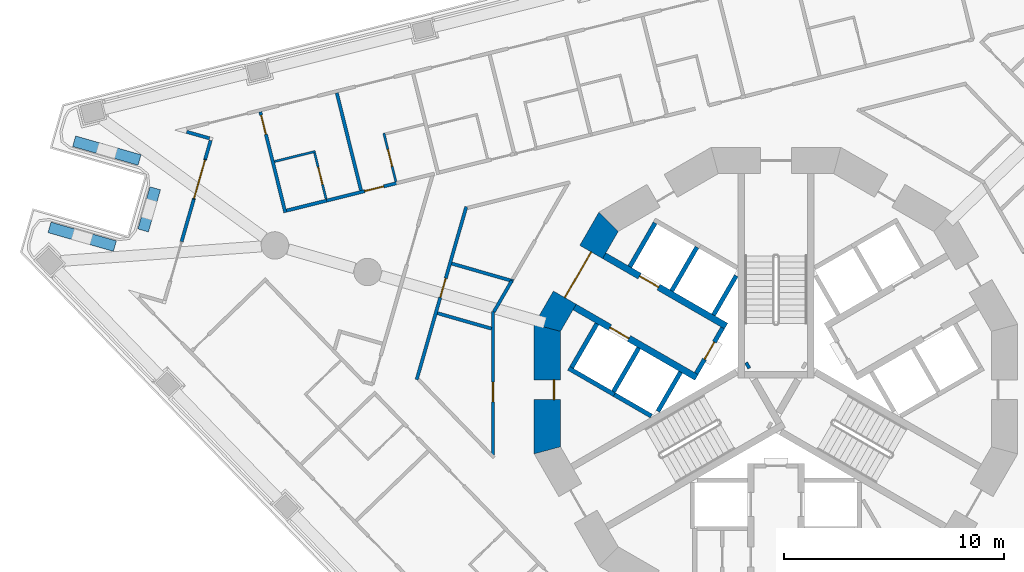
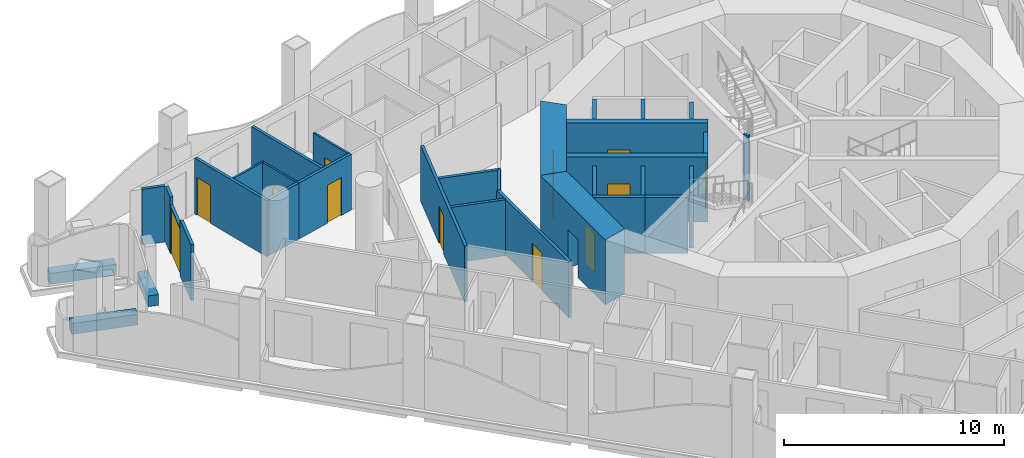
# One storey, part 7 of 20: 33 walls, 12 doors, 12 openings.
"""IFC4 building model written with IfcOpenShell, lengths in metres."""

from ifc_helpers import new_model, si_unit, direction, frame, frame_2d, origin, place, context, subcontext, project, spatial, polyline, rectangle, outline, extrude, material, layer, layer_set, type_object, element, fill, save


model = new_model("IFC4")

# Units and contexts
model_context = context("Model", 3, precision=1e-05, world=origin(), true_north=direction((0.0, 1.0)))
body_context = subcontext(model_context, "Body", "Model", "MODEL_VIEW")
ifc_project = project(units=[si_unit("LENGTHUNIT", "METRE"), si_unit("AREAUNIT", "SQUARE_METRE"), si_unit("VOLUMEUNIT", "CUBIC_METRE"), si_unit("PLANEANGLEUNIT", "RADIAN"), si_unit("MASSUNIT", "GRAM", prefix="KILO")], contexts=[model_context])

# Site, building, storey
site_placement = place(None, origin())
site = spatial("IfcSite", under=ifc_project, at=site_placement, CompositionType="ELEMENT")
building_placement = place(site_placement, origin())
building = spatial("IfcBuilding", under=site, at=building_placement, Name="Trine Commons Tower", CompositionType="ELEMENT")
storey_placement = place(building_placement, frame((0.0, 0.0, 116.10009765625)))
storey = spatial("IfcBuildingStorey", under=building, at=storey_placement, Name="L29", CompositionType="ELEMENT", Elevation=116.10009765625)

# Wall
ifc_material_1 = material(Name="Aluminium-framed insulated wall panel", Category="aluminium")
ifc_layer_1 = layer(ifc_material_1, 0.14990234375)
ifc_layer_set_1 = layer_set([ifc_layer_1], Name="Aluminium-framed insulated wall panel")
wall_type_1 = type_object("IfcWallType", Name="Glazed frame wall 150, EI 60", PredefinedType="SOLIDWALL", material=ifc_layer_set_1)
wall_1_placement = place(storey_placement, frame((52.931396484375, 69.221435546875, 0.0), z_axis=(0.0, 0.0, 1.0), x_axis=(0.275511032617, 0.961297909551, 0.0)))
element("IfcWall", 1, at=wall_1_placement, inside=storey, type_object=wall_type_1, Name="Glazed frame wall P1.3", PredefinedType="SOLIDWALL", context=body_context, shape_type="SweptSolid", body=[
    extrude(outline(polyline([(0.0, -0.074951171875), (2.0, -0.074951171875), (2.0, 0.074951171875), (0.0, 0.074951171875), (0.0, -0.074951171875)])), origin(), (0.0, 0.0, 1.0), 3.099853515625),
])

# Wall, opening, door
wall_2_placement = place(storey_placement, frame((53.482421875, 71.14404296875, 0.0), z_axis=(0.0, 0.0, 1.0), x_axis=(0.275739195228, 0.961232488119, 0.0)))
wall_2 = element("IfcWall", 2, at=wall_2_placement, inside=storey, type_object=wall_type_1, Name="Glazed frame wall P1.4", PredefinedType="SOLIDWALL", context=body_context, shape_type="SweptSolid", body=[
    extrude(outline(polyline([(0.0, -0.074951171875), (1.89990234375, -0.074951171875), (1.89990234375, 0.074951171875), (0.0, 0.074951171875), (0.0, -0.074951171875)])), origin(), (0.0, 0.0, 1.0), 2.64990234375),
])
opening_1_placement = place(wall_2_placement, frame((0.050048828125, 0.0, 0.0)))
opening_1 = element("IfcOpeningElement", 3, at=opening_1_placement, cuts=wall_2, Name="Opening BD-3P1-02", PredefinedType="OPENING", context=body_context, shape_type="SweptSolid", body=[
    extrude(rectangle(XDim=1.800048828125, YDim=2.60009765625, at=frame_2d((0.89990234375, 1.300048828125))), frame((0.0, 0.0849609375, 0.0), z_axis=(0.0, -1.0, 0.0), x_axis=(1.0, 0.0, 0.0)), (0.0, 0.0, 1.0), 0.169921875),
])
ifc_material_2 = material(Name="Anodised aluminium frame with double glazing", Category="aluminium")
door_type_1 = type_object("IfcDoorType", Name="Sliding loggia door 1800x2600", OperationType="SLIDING_TO_LEFT", PredefinedType="DOOR", material=ifc_material_2)
door_1_placement = place(opening_1_placement, origin())
door_1 = element("IfcDoor", 4, at=door_1_placement, inside=storey, type_object=door_type_1, Name="Loggia door P1 2", OperationType="SLIDING_TO_LEFT", OverallHeight=2.60009765625, OverallWidth=1.800048828125, PredefinedType="DOOR", context=body_context, shape_type="SweptSolid", body=[
    extrude(rectangle(XDim=1.800048828125, YDim=2.60009765625, at=frame_2d((0.89990234375, 1.300048828125))), frame((0.0, 0.02490234375, 0.0), z_axis=(0.0, -1.0, 0.0), x_axis=(1.0, 0.0, 0.0)), (0.0, 0.0, 1.0), 0.050048828125),
])
fill(opening_1, door_1)

# Walls
wall_3_placement = place(storey_placement, frame((54.00634765625, 72.970458984375, 0.0), z_axis=(0.0, 0.0, 1.0), x_axis=(0.275656175253, 0.961256299353, 0.0)))
element("IfcWall", 5, at=wall_3_placement, inside=storey, type_object=wall_type_1, Name="Glazed frame wall P1.5", PredefinedType="SOLIDWALL", context=body_context, shape_type="SweptSolid", body=[
    extrude(outline(polyline([(0.889892578125, 0.074951171875), (0.0, 0.074951171875), (0.0, -0.074951171875), (0.889892578125, -0.074951171875), (0.889892578125, 0.074951171875)])), origin(), (0.0, 0.0, 1.0), 3.099853515625),
])
wall_4_placement = place(storey_placement, frame((54.305908203125, 73.888427734375, 0.0), z_axis=(0.0, 0.0, 1.0), x_axis=(-0.961242628544, 0.275703843044, 0.0)))
element("IfcWall", 6, at=wall_4_placement, inside=storey, type_object=wall_type_1, Name="Glazed frame wall R3", PredefinedType="SOLIDWALL", context=body_context, shape_type="SweptSolid", body=[
    extrude(outline(polyline([(0.110107421875, 0.074951171875), (0.110107421875, -0.074951171875), (1.19580078125, -0.074951171875), (1.19580078125, 0.074951171875), (0.110107421875, 0.074951171875)])), origin(), (0.0, 0.0, 1.0), 3.099853515625),
])

# Wall, opening, door
ifc_material_3 = material(Name="Fire-rated gypsum shaft wall system")
ifc_layer_2 = layer(ifc_material_3, 0.199951171875)
ifc_layer_set_2 = layer_set([ifc_layer_2], Name="Fire-rated gypsum shaft wall system")
wall_type_2 = type_object("IfcWallType", Name="Lobby end wall 200 mm, EI 120", PredefinedType="PARTITIONING", material=ifc_layer_set_2)
wall_5_placement = place(storey_placement, frame((77.569091796875, 65.2890625, 0.0), z_axis=(0.0, 0.0, 1.0), x_axis=(-0.50012165622, -0.865955154139, 0.0)))
wall_5 = element("IfcWall", 7, at=wall_5_placement, inside=storey, type_object=wall_type_2, Name="Lobby end wall L29", PredefinedType="PARTITIONING", context=body_context, shape_type="SweptSolid", body=[
    extrude(rectangle(XDim=2.39990234375, YDim=0.199951171875, at=frame_2d((1.199951171875, 0.0))), origin(), (0.0, 0.0, 1.0), 3.099853515625),
])
opening_2_placement = place(wall_5_placement, frame((0.749755859375, 0.0, 0.0)))
opening_2 = element("IfcOpeningElement", 8, at=opening_2_placement, cuts=wall_5, Name="Opening K04.07", PredefinedType="OPENING", context=body_context, shape_type="SweptSolid", body=[
    extrude(rectangle(XDim=0.89990234375, YDim=2.10009765625, at=frame_2d((0.449951171875, 1.050048828125))), frame((0.0, 0.10986328125, 0.0), z_axis=(0.0, -1.0, 0.0), x_axis=(1.0, 0.0, 0.0)), (0.0, 0.0, 1.0), 0.219970703125),
])
ifc_material_4 = material(Name="Steel door leaf, fire-rated", Category="steel")
door_type_2 = type_object("IfcDoorType", Name="Riser access door, single leaf 900 x 2100, FD60", OperationType="SINGLE_SWING_LEFT", PredefinedType="DOOR", material=ifc_material_4)
door_2_placement = place(opening_2_placement, frame((0.89990234375, 0.0, 0.0), z_axis=(0.0, 0.0, 1.0), x_axis=(-1.0, 0.0, 0.0)))
door_2 = element("IfcDoor", 9, at=door_2_placement, inside=storey, type_object=door_type_2, Name="Riser door, Mechanical riser L29", OperationType="SINGLE_SWING_RIGHT", OverallHeight=2.10009765625, OverallWidth=0.89990234375, PredefinedType="DOOR", context=body_context, shape_type="SweptSolid", body=[
    extrude(rectangle(XDim=0.89990234375, YDim=2.10009765625, at=frame_2d((0.449951171875, 1.050048828125))), frame((0.0, 0.02490234375, 0.0), z_axis=(0.0, -1.0, 0.0), x_axis=(1.0, 0.0, 0.0)), (0.0, 0.0, 1.0), 0.050048828125),
])
fill(opening_2, door_2)

# Walls
ifc_material_5 = material(Name="Planter trough, precast concrete C40/50", Category="concrete")
ifc_layer_3 = layer(ifc_material_5, 0.5)
ifc_layer_set_3 = layer_set([ifc_layer_3], Name="Planter trough, precast concrete C40/50")
wall_type_3 = type_object("IfcWallType", Name="Planter trough 500x600", PredefinedType="PARAPET", material=ifc_layer_set_3)
wall_6_placement = place(storey_placement, frame((46.91064453125, 69.865966796875, 0.0), z_axis=(0.0, 0.0, 1.0), x_axis=(0.961261991794, -0.275636324044, 0.0)))
element("IfcWall", 10, at=wall_6_placement, inside=storey, type_object=wall_type_3, Name="Planter 1", PredefinedType="PARAPET", context=body_context, shape_type="SweptSolid", body=[
    extrude(rectangle(XDim=3.10009765625, YDim=0.5, at=frame_2d((1.550048828125, 0.0))), origin(), (0.0, 0.0, 1.0), 0.599853515625),
])
wall_7_placement = place(storey_placement, frame((51.177001953125, 69.724609375, 0.0), z_axis=(0.0, 0.0, 1.0), x_axis=(0.275623830648, 0.961265574115, 0.0)))
element("IfcWall", 11, at=wall_7_placement, inside=storey, type_object=wall_type_3, Name="Planter 2", PredefinedType="PARAPET", context=body_context, shape_type="SweptSolid", body=[
    extrude(rectangle(XDim=2.0, YDim=0.5, at=frame_2d((1.0, 0.0))), origin(), (0.0, 0.0, 1.0), 0.599853515625),
])
wall_8_placement = place(storey_placement, frame((51.01513671875, 72.93359375, 0.0), z_axis=(0.0, 0.0, 1.0), x_axis=(-0.961261991794, 0.275636324044, 0.0)))
element("IfcWall", 12, at=wall_8_placement, inside=storey, type_object=wall_type_3, Name="Planter 3", PredefinedType="PARAPET", context=body_context, shape_type="SweptSolid", body=[
    extrude(rectangle(XDim=3.10009765625, YDim=0.5, at=frame_2d((1.550048828125, 0.0))), origin(), (0.0, 0.0, 1.0), 0.599853515625),
])

# Wall, opening, door
ifc_material_6 = material(Name="Concrete C70/85", Category="concrete")
ifc_layer_4 = layer(ifc_material_6, 1.199951171875)
ifc_layer_set_4 = layer_set([ifc_layer_4], Name="Concrete C70/85")
wall_type_4 = type_object("IfcWallType", Name="RC shear wall 1200 mm, C70/85", PredefinedType="SHEAR", material=ifc_layer_set_4)
wall_9_placement = place(storey_placement, frame((72.45849609375, 70.260986328125, 0.0), z_axis=(0.0, 0.0, 1.0), x_axis=(-0.499979111662, -0.866037463336, 0.0)))
wall_9 = element("IfcWall", 13, at=wall_9_placement, inside=storey, type_object=wall_type_4, Name="Core wall CWC-06 L29", PredefinedType="SHEAR", context=body_context, shape_type="SweptSolid", body=[
    extrude(outline(polyline([(0.0, -0.60009765625), (5.901123046875, -0.60009765625), (5.57958984375, 0.60009765625), (0.321533203125, 0.60009765625), (0.0, -0.60009765625)])), origin(), (0.0, 0.0, 1.0), 3.599853515625),
])
opening_3_placement = place(wall_9_placement, frame((1.75048828125, 0.0, 0.0)))
opening_3 = element("IfcOpeningElement", 14, at=opening_3_placement, cuts=wall_9, Name="Opening K04.06", PredefinedType="OPENING", context=body_context, shape_type="SweptSolid", body=[
    extrude(rectangle(XDim=2.39990234375, YDim=2.10009765625, at=frame_2d((1.199951171875, 1.050048828125))), frame((0.0, 0.60986328125, 0.0), z_axis=(0.0, -1.0, 0.0), x_axis=(1.0, 0.0, 0.0)), (0.0, 0.0, 1.0), 1.219970703125),
])
ifc_material_7 = material(Name="Steel door leaves, fire-rated", Category="steel")
door_type_3 = type_object("IfcDoorType", Name="Lobby door, double leaf 2400 x 2100, FD60", OperationType="DOUBLE_DOOR_SINGLE_SWING", PredefinedType="DOOR", material=ifc_material_7)
door_3_placement = place(opening_3_placement, origin())
door_3 = element("IfcDoor", 15, at=door_3_placement, inside=storey, type_object=door_type_3, Name="Lobby door, Passenger lift lobby B L29", OperationType="DOUBLE_DOOR_SINGLE_SWING", OverallHeight=2.10009765625, OverallWidth=2.39990234375, PredefinedType="DOOR", context=body_context, shape_type="SweptSolid", body=[
    extrude(rectangle(XDim=2.39990234375, YDim=2.10009765625, at=frame_2d((1.199951171875, 1.050048828125))), frame((0.0, 0.02490234375, 0.0), z_axis=(0.0, -1.0, 0.0), x_axis=(1.0, 0.0, 0.0)), (0.0, 0.0, 1.0), 0.050048828125),
])
fill(opening_3, door_3)

wall_10_placement = place(storey_placement, frame((69.58837890625, 65.450439453125, 0.0), z_axis=(0.0, 0.0, 1.0), x_axis=(0.0, -1.0, 0.0)))
wall_10 = element("IfcWall", 16, at=wall_10_placement, inside=storey, type_object=wall_type_4, Name="Core wall CWC-07 L29", PredefinedType="SHEAR", context=body_context, shape_type="SweptSolid", body=[
    extrude(outline(polyline([(0.0, -0.60009765625), (5.90087890625, -0.60009765625), (5.57958984375, 0.60009765625), (0.321533203125, 0.60009765625), (0.0, -0.60009765625)])), origin(), (0.0, 0.0, 1.0), 3.599853515625),
])
opening_4_placement = place(wall_10_placement, frame((2.525390625, 0.0, 0.0)))
opening_4 = element("IfcOpeningElement", 17, at=opening_4_placement, cuts=wall_10, Name="Opening K04.14", PredefinedType="OPENING", context=body_context, shape_type="SweptSolid", body=[
    extrude(rectangle(XDim=0.89990234375, YDim=2.10009765625, at=frame_2d((0.449951171875, 1.050048828125))), frame((0.0, 0.60986328125, 0.0), z_axis=(0.0, -1.0, 0.0), x_axis=(1.0, 0.0, 0.0)), (0.0, 0.0, 1.0), 1.219970703125),
])
door_type_4 = type_object("IfcDoorType", Name="Core room door, single leaf 900 x 2100, FD30S", OperationType="SINGLE_SWING_LEFT", PredefinedType="DOOR", material=ifc_material_4)
door_4_placement = place(opening_4_placement, origin())
door_4 = element("IfcDoor", 18, at=door_4_placement, inside=storey, type_object=door_type_4, Name="Door to Print room L29", OperationType="SINGLE_SWING_RIGHT", OverallHeight=2.10009765625, OverallWidth=0.89990234375, PredefinedType="DOOR", context=body_context, shape_type="SweptSolid", body=[
    extrude(rectangle(XDim=0.89990234375, YDim=2.10009765625, at=frame_2d((0.449951171875, 1.050048828125))), frame((0.0, 0.3251953125, 0.0), z_axis=(0.0, -1.0, 0.0), x_axis=(1.0, 0.0, 0.0)), (0.0, 0.0, 1.0), 0.050048828125),
])
fill(opening_4, door_4)

ifc_layer_5 = layer(ifc_material_6, 0.300048828125)
ifc_layer_set_5 = layer_set([ifc_layer_5], Name="Concrete C70/85")
wall_type_5 = type_object("IfcWallType", Name="RC shear wall 300 mm, C70/85", PredefinedType="SHEAR", material=ifc_layer_set_5)
wall_11_placement = place(storey_placement, frame((76.381103515625, 63.031005859375, 0.0), z_axis=(0.0, 0.0, 1.0), x_axis=(-0.866032150378, 0.499988314375, 0.0)))
wall_11 = element("IfcWall", 19, at=wall_11_placement, inside=storey, type_object=wall_type_5, Name="Core cross wall SWA-01 L29", PredefinedType="SHEAR", context=body_context, shape_type="SweptSolid", body=[
    extrude(rectangle(XDim=6.412353515625, YDim=0.300048828125, at=frame_2d((3.2060546875, 0.0))), origin(), (0.0, 0.0, 1.0), 3.599853515625),
])
opening_5_placement = place(wall_11_placement, frame((3.55029296875, 0.0, 0.0)))
opening_5 = element("IfcOpeningElement", 20, at=opening_5_placement, cuts=wall_11, Name="Opening LD3", PredefinedType="OPENING", context=body_context, shape_type="SweptSolid", body=[
    extrude(rectangle(XDim=1.0, YDim=2.10009765625, at=frame_2d((0.5, 1.050048828125))), frame((0.0, 0.159912109375, 0.0), z_axis=(0.0, -1.0, 0.0), x_axis=(1.0, 0.0, 0.0)), (0.0, 0.0, 1.0), 0.320068359375),
])
ifc_material_8 = material(Name="Stainless steel sliding door leaves", Category="steel")
door_type_5 = type_object("IfcDoorType", Name="Lift landing door, centre-opening sliding 1000 x 2100, FD90", OperationType="DOUBLE_DOOR_SLIDING", PredefinedType="DOOR", material=ifc_material_8)
door_5_placement = place(opening_5_placement, origin())
door_5 = element("IfcDoor", 21, at=door_5_placement, inside=storey, type_object=door_type_5, Name="Lift landing door LR3 L29", OperationType="DOUBLE_DOOR_SLIDING", OverallHeight=2.10009765625, OverallWidth=1.0, PredefinedType="DOOR", context=body_context, shape_type="SweptSolid", body=[
    extrude(rectangle(XDim=1.0, YDim=2.10009765625, at=frame_2d((0.5, 1.050048828125))), frame((0.0, 0.02490234375, 0.0), z_axis=(0.0, -1.0, 0.0), x_axis=(1.0, 0.0, 0.0)), (0.0, 0.0, 1.0), 0.050048828125),
])
fill(opening_5, door_5)

wall_12_placement = place(storey_placement, frame((77.73095703125, 65.368896484375, 0.0), z_axis=(0.0, 0.0, 1.0), x_axis=(-0.866022631842, 0.500004801114, 0.0)))
wall_12 = element("IfcWall", 22, at=wall_12_placement, inside=storey, type_object=wall_type_5, Name="Core cross wall SWA-02 L29", PredefinedType="SHEAR", context=body_context, shape_type="SweptSolid", body=[
    extrude(rectangle(XDim=6.412109375, YDim=0.300048828125, at=frame_2d((3.2060546875, 0.0))), origin(), (0.0, 0.0, 1.0), 3.599853515625),
])
opening_6_placement = place(wall_12_placement, frame((3.55029296875, 0.0, 0.0)))
opening_6 = element("IfcOpeningElement", 23, at=opening_6_placement, cuts=wall_12, Name="Opening LD4", PredefinedType="OPENING", context=body_context, shape_type="SweptSolid", body=[
    extrude(rectangle(XDim=1.0, YDim=2.10009765625, at=frame_2d((0.5, 1.050048828125))), frame((0.0, 0.159912109375, 0.0), z_axis=(0.0, -1.0, 0.0), x_axis=(1.0, 0.0, 0.0)), (0.0, 0.0, 1.0), 0.320068359375),
])
door_6_placement = place(opening_6_placement, origin())
door_6 = element("IfcDoor", 24, at=door_6_placement, inside=storey, type_object=door_type_5, Name="Lift landing door LR4 L29", OperationType="DOUBLE_DOOR_SLIDING", OverallHeight=2.10009765625, OverallWidth=1.0, PredefinedType="DOOR", context=body_context, shape_type="SweptSolid", body=[
    extrude(rectangle(XDim=1.0, YDim=2.10009765625, at=frame_2d((0.5, 1.050048828125))), frame((0.0, 0.02490234375, 0.0), z_axis=(0.0, -1.0, 0.0), x_axis=(1.0, 0.0, 0.0)), (0.0, 0.0, 1.0), 0.050048828125),
])
fill(opening_6, door_6)

# Walls
wall_13_placement = place(storey_placement, frame((78.779052734375, 63.614013671875, 0.0), z_axis=(0.0, 0.0, 1.0), x_axis=(-0.867737973955, -0.497021939713, 0.0)))
element("IfcWall", 25, at=wall_13_placement, inside=storey, type_object=wall_type_5, Name="Core cross wall SWA-09 L29", PredefinedType="SHEAR", context=body_context, shape_type="SweptSolid", body=[
    extrude(rectangle(XDim=0.14892578125, YDim=0.300048828125, at=frame_2d((0.074462890625, 0.0))), origin(), (0.0, 0.0, 1.0), 3.599853515625),
])
ifc_layer_6 = layer(ifc_material_3, 0.199951171875)
ifc_layer_set_6 = layer_set([ifc_layer_6], Name="Fire-rated gypsum shaft wall system")
wall_type_6 = type_object("IfcWallType", Name="Shaft wall 200 mm, EI 120", PredefinedType="PARTITIONING", material=ifc_layer_set_6)
wall_14_placement = place(storey_placement, frame((71.844970703125, 65.47607421875, 0.0), z_axis=(0.0, 0.0, 1.0), x_axis=(-0.500136062276, -0.86594683394, 0.0)))
element("IfcWall", 26, at=wall_14_placement, inside=storey, type_object=wall_type_6, Name="Shaft wall L29", PredefinedType="PARTITIONING", context=body_context, shape_type="SweptSolid", body=[
    extrude(rectangle(XDim=2.299072265625, YDim=0.199951171875, at=frame_2d((1.1494140625, 0.0))), origin(), (0.0, 0.0, 1.0), 3.099853515625),
])
wall_15_placement = place(storey_placement, frame((72.637939453125, 62.248046875, 0.0), z_axis=(0.0, 0.0, 1.0), x_axis=(-0.866177122335, 0.499737123639, 0.0)))
element("IfcWall", 27, at=wall_15_placement, inside=storey, type_object=wall_type_6, Name="Shaft wall L29", PredefinedType="PARTITIONING", context=body_context, shape_type="SweptSolid", body=[
    extrude(rectangle(XDim=2.401123046875, YDim=0.199951171875, at=frame_2d((1.20068359375, 0.0))), origin(), (0.0, 0.0, 1.0), 3.099853515625),
])
wall_16_placement = place(storey_placement, frame((73.344970703125, 68.073974609375, 0.0), z_axis=(0.0, 0.0, 1.0), x_axis=(0.500215680983, 0.865900844496, 0.0)))
element("IfcWall", 28, at=wall_16_placement, inside=storey, type_object=wall_type_6, Name="Shaft wall L29", PredefinedType="PARTITIONING", context=body_context, shape_type="SweptSolid", body=[
    extrude(rectangle(XDim=2.29931640625, YDim=0.199951171875, at=frame_2d((1.149658203125, 0.0))), origin(), (0.0, 0.0, 1.0), 3.099853515625),
])
wall_17_placement = place(storey_placement, frame((73.7509765625, 64.3759765625, 0.0), z_axis=(0.0, 0.0, 1.0), x_axis=(-0.500136062276, -0.86594683394, 0.0)))
element("IfcWall", 29, at=wall_17_placement, inside=storey, type_object=wall_type_6, Name="Shaft wall L29", PredefinedType="PARTITIONING", context=body_context, shape_type="SweptSolid", body=[
    extrude(rectangle(XDim=2.299072265625, YDim=0.199951171875, at=frame_2d((1.1494140625, 0.0))), origin(), (0.0, 0.0, 1.0), 3.099853515625),
])
wall_18_placement = place(storey_placement, frame((74.324951171875, 61.27294921875, 0.0), z_axis=(0.0, 0.0, 1.0), x_axis=(-0.865780634835, 0.500423712812, 0.0)))
element("IfcWall", 30, at=wall_18_placement, inside=storey, type_object=wall_type_6, Name="Shaft wall L29", PredefinedType="PARTITIONING", context=body_context, shape_type="SweptSolid", body=[
    extrude(rectangle(XDim=1.948486328125, YDim=0.199951171875, at=frame_2d((0.97412109375, 0.0))), origin(), (0.0, 0.0, 1.0), 3.099853515625),
])
wall_19_placement = place(storey_placement, frame((75.2509765625, 66.97412109375, 0.0), z_axis=(0.0, 0.0, 1.0), x_axis=(0.500136062276, 0.86594683394, 0.0)))
element("IfcWall", 31, at=wall_19_placement, inside=storey, type_object=wall_type_6, Name="Shaft wall L29", PredefinedType="PARTITIONING", context=body_context, shape_type="SweptSolid", body=[
    extrude(rectangle(XDim=2.299072265625, YDim=0.199951171875, at=frame_2d((1.1494140625, 0.0))), origin(), (0.0, 0.0, 1.0), 3.099853515625),
])
wall_20_placement = place(storey_placement, frame((75.656005859375, 63.27587890625, 0.0), z_axis=(0.0, 0.0, 1.0), x_axis=(-0.500271688072, -0.86586848777, 0.0)))
element("IfcWall", 32, at=wall_20_placement, inside=storey, type_object=wall_type_6, Name="Shaft wall L29", PredefinedType="PARTITIONING", context=body_context, shape_type="SweptSolid", body=[
    extrude(rectangle(XDim=2.064697265625, YDim=0.199951171875, at=frame_2d((1.0322265625, 0.0))), origin(), (0.0, 0.0, 1.0), 3.099853515625),
])
wall_21_placement = place(storey_placement, frame((77.156005859375, 65.8740234375, 0.0), z_axis=(0.0, 0.0, 1.0), x_axis=(0.499865770674, 0.866102887253, 0.0)))
element("IfcWall", 33, at=wall_21_placement, inside=storey, type_object=wall_type_6, Name="Shaft wall L29", PredefinedType="PARTITIONING", context=body_context, shape_type="SweptSolid", body=[
    extrude(rectangle(XDim=2.064453125, YDim=0.199951171875, at=frame_2d((1.0322265625, 0.0))), origin(), (0.0, 0.0, 1.0), 3.099853515625),
])

# Wall, opening, door
ifc_material_9 = material(Name="Gypsum plasterboard on steel stud", Category="steel")
ifc_layer_7 = layer(ifc_material_9, 0.14990234375)
ifc_layer_set_7 = layer_set([ifc_layer_7], Name="Gypsum plasterboard on steel stud")
wall_type_7 = type_object("IfcWallType", Name="Unit and corridor wall 150 mm, EI 60", PredefinedType="PARTITIONING", material=ifc_layer_set_7)
wall_22_placement = place(storey_placement, frame((56.513671875, 75.122314453125, 0.0), z_axis=(0.0, 0.0, 1.0), x_axis=(0.24185448203, -0.970312531879, 0.0)))
wall_22 = element("IfcWall", 34, at=wall_22_placement, inside=storey, type_object=wall_type_7, Name="Partition 002", PredefinedType="PARTITIONING", context=body_context, shape_type="SweptSolid", body=[
    extrude(rectangle(XDim=4.72314453125, YDim=0.14990234375, at=frame_2d((2.361572265625, 0.0))), origin(), (0.0, 0.0, 1.0), 3.099853515625),
])
opening_7_placement = place(wall_22_placement, frame((0.14990234375, 0.0, 0.0)))
opening_7 = element("IfcOpeningElement", 35, at=opening_7_placement, cuts=wall_22, Name="Opening D-3C07", PredefinedType="OPENING", context=body_context, shape_type="SweptSolid", body=[
    extrude(rectangle(XDim=0.89990234375, YDim=2.10009765625, at=frame_2d((0.449951171875, 1.050048828125))), frame((0.0, 0.0849609375, 0.0), z_axis=(0.0, -1.0, 0.0), x_axis=(1.0, 0.0, 0.0)), (0.0, 0.0, 1.0), 0.169921875),
])
ifc_material_10 = material(Name="Timber fire door set", Category="wood")
door_type_6 = type_object("IfcDoorType", Name="Bedroom door 900 x 2100, FD30S", OperationType="NOTDEFINED", PredefinedType="DOOR", material=ifc_material_10)
door_7_placement = place(opening_7_placement, origin())
door_7 = element("IfcDoor", 36, at=door_7_placement, inside=storey, type_object=door_type_6, Name="Door D-3C07", OperationType="SINGLE_SWING_LEFT", OverallHeight=2.10009765625, OverallWidth=0.89990234375, PredefinedType="DOOR", context=body_context, shape_type="SweptSolid", body=[
    extrude(rectangle(XDim=0.89990234375, YDim=2.10009765625, at=frame_2d((0.449951171875, 1.050048828125))), frame((0.0, 0.02490234375, 0.0), z_axis=(0.0, -1.0, 0.0), x_axis=(1.0, 0.0, 0.0)), (0.0, 0.0, 1.0), 0.050048828125),
])
fill(opening_7, door_7)

# Wall
wall_23_placement = place(storey_placement, frame((57.710693359375, 70.630126953125, 0.0), z_axis=(0.0, 0.0, 1.0), x_axis=(0.970264657276, 0.242046472483, 0.0)))
element("IfcWall", 37, at=wall_23_placement, inside=storey, type_object=wall_type_7, Name="Partition 005", PredefinedType="PARTITIONING", context=body_context, shape_type="SweptSolid", body=[
    extrude(rectangle(XDim=1.879150390625, YDim=0.14990234375, at=frame_2d((0.939453125, 0.0))), origin(), (0.0, 0.0, 1.0), 3.099853515625),
])

# Wall, opening, door
wall_24_placement = place(storey_placement, frame((59.52587890625, 71.0830078125, 0.0), z_axis=(0.0, 0.0, 1.0), x_axis=(0.970335998333, 0.24176031589, 0.0)))
wall_24 = element("IfcWall", 38, at=wall_24_placement, inside=storey, type_object=wall_type_7, Name="Partition 010", PredefinedType="PARTITIONING", context=body_context, shape_type="SweptSolid", body=[
    extrude(rectangle(XDim=3.33447265625, YDim=0.14990234375, at=frame_2d((1.667236328125, 0.0))), origin(), (0.0, 0.0, 1.0), 3.099853515625),
])
opening_8_placement = place(wall_24_placement, frame((1.792724609375, 0.0, 0.0)))
opening_8 = element("IfcOpeningElement", 39, at=opening_8_placement, cuts=wall_24, Name="Opening D-3C08", PredefinedType="OPENING", context=body_context, shape_type="SweptSolid", body=[
    extrude(rectangle(XDim=0.89990234375, YDim=2.10009765625, at=frame_2d((0.449951171875, 1.050048828125))), frame((0.0, 0.0849609375, 0.0), z_axis=(0.0, -1.0, 0.0), x_axis=(1.0, 0.0, 0.0)), (0.0, 0.0, 1.0), 0.169921875),
])
door_8_placement = place(opening_8_placement, origin())
door_8 = element("IfcDoor", 40, at=door_8_placement, inside=storey, type_object=door_type_6, Name="Door D-3C08", OperationType="SINGLE_SWING_RIGHT", OverallHeight=2.10009765625, OverallWidth=0.89990234375, PredefinedType="DOOR", context=body_context, shape_type="SweptSolid", body=[
    extrude(rectangle(XDim=0.89990234375, YDim=2.10009765625, at=frame_2d((0.449951171875, 1.050048828125))), frame((0.0, 0.02490234375, 0.0), z_axis=(0.0, -1.0, 0.0), x_axis=(1.0, 0.0, 0.0)), (0.0, 0.0, 1.0), 0.050048828125),
])
fill(opening_8, door_8)

# Wall
wall_25_placement = place(storey_placement, frame((59.99560546875, 75.990234375, 0.0), z_axis=(0.0, 0.0, 1.0), x_axis=(0.24188240248, -0.970305572163, 0.0)))
element("IfcWall", 41, at=wall_25_placement, inside=storey, type_object=wall_type_7, Name="Partition 012", PredefinedType="PARTITIONING", context=body_context, shape_type="SweptSolid", body=[
    extrude(rectangle(XDim=4.5732421875, YDim=0.14990234375, at=frame_2d((2.28662109375, 0.0))), origin(), (0.0, 0.0, 1.0), 3.099853515625),
])

# Wall, opening, door
wall_26_placement = place(storey_placement, frame((63.63720703125, 62.930908203125, 0.0), z_axis=(0.0, 0.0, 1.0), x_axis=(0.275598829518, 0.961272742341, 0.0)))
wall_26 = element("IfcWall", 42, at=wall_26_placement, inside=storey, type_object=wall_type_7, Name="Partition 023", PredefinedType="PARTITIONING", context=body_context, shape_type="SweptSolid", body=[
    extrude(rectangle(XDim=8.19140625, YDim=0.14990234375, at=frame_2d((4.095703125, 0.0))), origin(), (0.0, 0.0, 1.0), 3.099853515625),
])
opening_9_placement = place(wall_26_placement, frame((3.89599609375, 0.0, 0.0)))
opening_9 = element("IfcOpeningElement", 43, at=opening_9_placement, cuts=wall_26, Name="Opening D-3C40", PredefinedType="OPENING", context=body_context, shape_type="SweptSolid", body=[
    extrude(rectangle(XDim=0.89990234375, YDim=2.10009765625, at=frame_2d((0.449951171875, 1.050048828125))), frame((0.0, 0.0849609375, 0.0), z_axis=(0.0, -1.0, 0.0), x_axis=(1.0, 0.0, 0.0)), (0.0, 0.0, 1.0), 0.169921875),
])
door_type_7 = type_object("IfcDoorType", Name="Service door 900 x 2100, FD30S", OperationType="NOTDEFINED", PredefinedType="DOOR", material=ifc_material_10)
door_9_placement = place(opening_9_placement, frame((0.89990234375, 0.0, 0.0), z_axis=(0.0, 0.0, 1.0), x_axis=(-1.0, 0.0, 0.0)))
door_9 = element("IfcDoor", 44, at=door_9_placement, inside=storey, type_object=door_type_7, Name="Door D-3C40", OperationType="SINGLE_SWING_LEFT", OverallHeight=2.10009765625, OverallWidth=0.89990234375, PredefinedType="DOOR", context=body_context, shape_type="SweptSolid", body=[
    extrude(rectangle(XDim=0.89990234375, YDim=2.10009765625, at=frame_2d((0.449951171875, 1.050048828125))), frame((0.0, 0.02490234375, 0.0), z_axis=(0.0, -1.0, 0.0), x_axis=(1.0, 0.0, 0.0)), (0.0, 0.0, 1.0), 0.050048828125),
])
fill(opening_9, door_9)

# Walls
wall_27_placement = place(storey_placement, frame((64.5830078125, 65.958251953125, 0.0), z_axis=(0.0, 0.0, 1.0), x_axis=(0.961285789876, -0.275553316407, 0.0)))
element("IfcWall", 45, at=wall_27_placement, inside=storey, type_object=wall_type_7, Name="Partition 027", PredefinedType="PARTITIONING", context=body_context, shape_type="SweptSolid", body=[
    extrude(rectangle(XDim=2.556884765625, YDim=0.14990234375, at=frame_2d((1.2783203125, 0.0))), origin(), (0.0, 0.0, 1.0), 3.099853515625),
])
wall_28_placement = place(storey_placement, frame((65.231201171875, 68.21728515625, 0.0), z_axis=(0.0, 0.0, 1.0), x_axis=(0.961306086513, -0.275482500411, 0.0)))
element("IfcWall", 46, at=wall_28_placement, inside=storey, type_object=wall_type_7, Name="Partition 029", PredefinedType="PARTITIONING", context=body_context, shape_type="SweptSolid", body=[
    extrude(rectangle(XDim=2.921875, YDim=0.14990234375, at=frame_2d((1.4609375, 0.0))), origin(), (0.0, 0.0, 1.0), 3.099853515625),
])

# Wall, opening, door
wall_29_placement = place(storey_placement, frame((67.113037109375, 59.49609375, 0.0), z_axis=(0.0, 0.0, 1.0), x_axis=(0.0, 1.0, 0.0)))
wall_29 = element("IfcWall", 47, at=wall_29_placement, inside=storey, type_object=wall_type_7, Name="Partition 037", PredefinedType="PARTITIONING", context=body_context, shape_type="SweptSolid", body=[
    extrude(rectangle(XDim=6.531982421875, YDim=0.14990234375, at=frame_2d((3.26611328125, 0.0))), origin(), (0.0, 0.0, 1.0), 3.099853515625),
])
opening_10_placement = place(wall_29_placement, frame((2.41845703125, 0.0, 0.0)))
opening_10 = element("IfcOpeningElement", 48, at=opening_10_placement, cuts=wall_29, Name="Opening D-3C34", PredefinedType="OPENING", context=body_context, shape_type="SweptSolid", body=[
    extrude(rectangle(XDim=0.89990234375, YDim=2.10009765625, at=frame_2d((0.449951171875, 1.050048828125))), frame((0.0, 0.0849609375, 0.0), z_axis=(0.0, -1.0, 0.0), x_axis=(1.0, 0.0, 0.0)), (0.0, 0.0, 1.0), 0.169921875),
])
door_10_placement = place(opening_10_placement, origin())
door_10 = element("IfcDoor", 49, at=door_10_placement, inside=storey, type_object=door_type_7, Name="Door D-3C34", OperationType="SINGLE_SWING_LEFT", OverallHeight=2.10009765625, OverallWidth=0.89990234375, PredefinedType="DOOR", context=body_context, shape_type="SweptSolid", body=[
    extrude(rectangle(XDim=0.89990234375, YDim=2.10009765625, at=frame_2d((0.449951171875, 1.050048828125))), frame((0.0, 0.02490234375, 0.0), z_axis=(0.0, -1.0, 0.0), x_axis=(1.0, 0.0, 0.0)), (0.0, 0.0, 1.0), 0.050048828125),
])
fill(opening_10, door_10)

# Walls
wall_30_placement = place(storey_placement, frame((67.150390625, 66.01806640625, 0.0), z_axis=(0.0, 0.0, 1.0), x_axis=(0.49971385212, 0.866190548321, 0.0)))
element("IfcWall", 50, at=wall_30_placement, inside=storey, type_object=wall_type_7, Name="Partition 038", PredefinedType="PARTITIONING", context=body_context, shape_type="SweptSolid", body=[
    extrude(rectangle(XDim=1.63818359375, YDim=0.14990234375, at=frame_2d((0.819091796875, 0.0))), origin(), (0.0, 0.0, 1.0), 3.099853515625),
])
ifc_layer_8 = layer(ifc_material_9, 0.10009765625)
ifc_layer_set_8 = layer_set([ifc_layer_8], Name="Gypsum plasterboard on steel stud")
wall_type_8 = type_object("IfcWallType", Name="Unit partition 100 mm, no rating", PredefinedType="PARTITIONING", material=ifc_layer_set_8)
wall_31_placement = place(storey_placement, frame((57.15478515625, 72.8623046875, 0.0), z_axis=(0.0, 0.0, 1.0), x_axis=(0.970276645771, 0.241998410475, 0.0)))
element("IfcWall", 51, at=wall_31_placement, inside=storey, type_object=wall_type_8, Name="Partition 004", PredefinedType="PARTITIONING", context=body_context, shape_type="SweptSolid", body=[
    extrude(rectangle(XDim=1.9248046875, YDim=0.10009765625, at=frame_2d((0.96240234375, 0.0))), origin(), (0.0, 0.0, 1.0), 3.099853515625),
])

# Wall, opening, door
wall_32_placement = place(storey_placement, frame((58.986083984375, 73.267578125, 0.0), z_axis=(0.0, 0.0, 1.0), x_axis=(0.241743332693, -0.970340229558, 0.0)))
wall_32 = element("IfcWall", 52, at=wall_32_placement, inside=storey, type_object=wall_type_8, Name="Partition 009", PredefinedType="PARTITIONING", context=body_context, shape_type="SweptSolid", body=[
    extrude(rectangle(XDim=2.17529296875, YDim=0.10009765625, at=frame_2d((1.087646484375, 0.0))), origin(), (0.0, 0.0, 1.0), 3.099853515625),
])
opening_11_placement = place(wall_32_placement, frame((0.6875, 0.0, 0.0)))
opening_11 = element("IfcOpeningElement", 53, at=opening_11_placement, cuts=wall_32, Name="Opening D-3C43", PredefinedType="OPENING", context=body_context, shape_type="SweptSolid", body=[
    extrude(rectangle(XDim=0.800048828125, YDim=2.10009765625, at=frame_2d((0.39990234375, 1.050048828125))), frame((0.0, 0.06005859375, 0.0), z_axis=(0.0, -1.0, 0.0), x_axis=(1.0, 0.0, 0.0)), (0.0, 0.0, 1.0), 0.1201171875),
])
ifc_material_11 = material(Name="Painted timber", Category="wood")
door_type_8 = type_object("IfcDoorType", Name="Internal door 800 x 2100, NOT RATED", OperationType="NOTDEFINED", PredefinedType="DOOR", material=ifc_material_11)
door_11_placement = place(opening_11_placement, origin())
door_11 = element("IfcDoor", 54, at=door_11_placement, inside=storey, type_object=door_type_8, Name="Door D-3C43", OperationType="SINGLE_SWING_RIGHT", OverallHeight=2.10009765625, OverallWidth=0.800048828125, PredefinedType="DOOR", context=body_context, shape_type="SweptSolid", body=[
    extrude(rectangle(XDim=0.800048828125, YDim=2.10009765625, at=frame_2d((0.39990234375, 1.050048828125))), frame((0.0, 0.02490234375, 0.0), z_axis=(0.0, -1.0, 0.0), x_axis=(1.0, 0.0, 0.0)), (0.0, 0.0, 1.0), 0.050048828125),
])
fill(opening_11, door_11)

wall_33_placement = place(storey_placement, frame((62.140869140625, 74.156494140625, 0.0), z_axis=(0.0, 0.0, 1.0), x_axis=(0.241853593672, -0.970312753306, 0.0)))
wall_33 = element("IfcWall", 55, at=wall_33_placement, inside=storey, type_object=wall_type_8, Name="Partition 019", PredefinedType="PARTITIONING", context=body_context, shape_type="SweptSolid", body=[
    extrude(rectangle(XDim=2.2744140625, YDim=0.10009765625, at=frame_2d((1.13720703125, 0.0))), origin(), (0.0, 0.0, 1.0), 3.099853515625),
])
opening_12_placement = place(wall_33_placement, frame((0.76220703125, 0.0, 0.0)))
opening_12 = element("IfcOpeningElement", 56, at=opening_12_placement, cuts=wall_33, Name="Opening D-3C44", PredefinedType="OPENING", context=body_context, shape_type="SweptSolid", body=[
    extrude(rectangle(XDim=0.800048828125, YDim=2.10009765625, at=frame_2d((0.39990234375, 1.050048828125))), frame((0.0, 0.06005859375, 0.0), z_axis=(0.0, -1.0, 0.0), x_axis=(1.0, 0.0, 0.0)), (0.0, 0.0, 1.0), 0.1201171875),
])
door_12_placement = place(opening_12_placement, frame((0.800048828125, 0.0, 0.0), z_axis=(0.0, 0.0, 1.0), x_axis=(-1.0, 0.0, 0.0)))
door_12 = element("IfcDoor", 57, at=door_12_placement, inside=storey, type_object=door_type_8, Name="Door D-3C44", OperationType="SINGLE_SWING_LEFT", OverallHeight=2.10009765625, OverallWidth=0.800048828125, PredefinedType="DOOR", context=body_context, shape_type="SweptSolid", body=[
    extrude(rectangle(XDim=0.800048828125, YDim=2.10009765625, at=frame_2d((0.39990234375, 1.050048828125))), frame((0.0, 0.02490234375, 0.0), z_axis=(0.0, -1.0, 0.0), x_axis=(1.0, 0.0, 0.0)), (0.0, 0.0, 1.0), 0.050048828125),
])
fill(opening_12, door_12)

save(model, "model.ifc")
